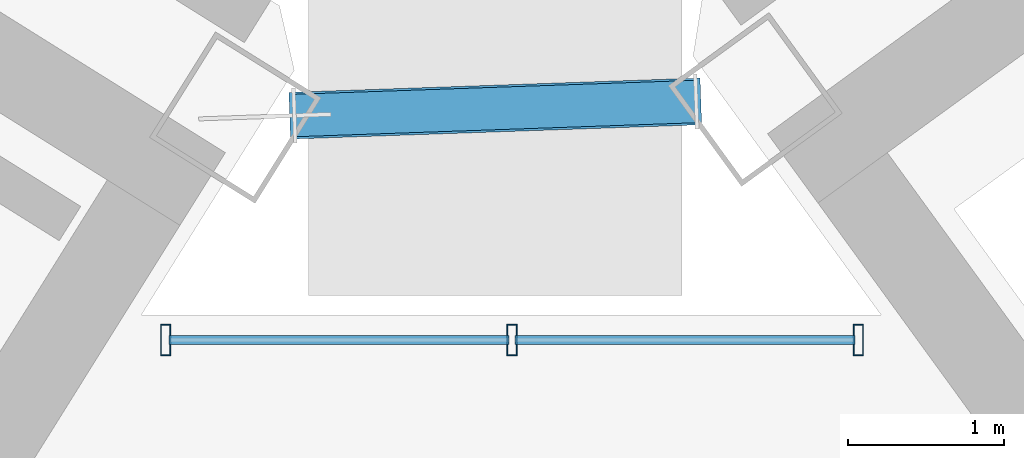
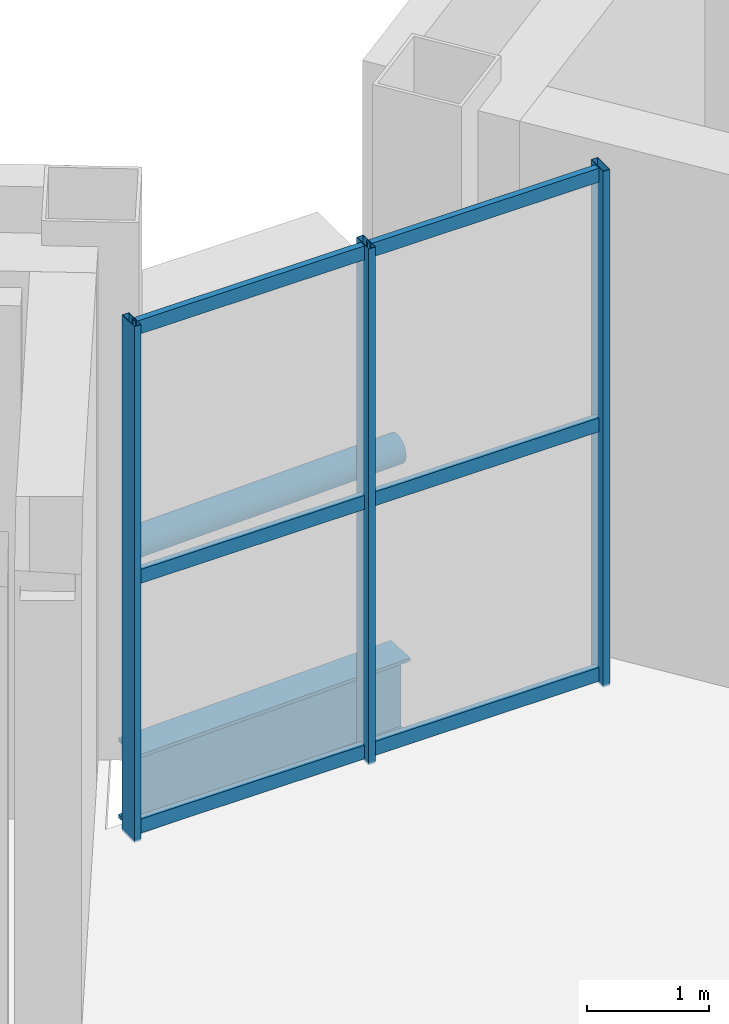
# One storey, part 12 of 30: 10 members, 1 beam, 1 element without a shape of its own.
"""IFC4 building model written with IfcOpenShell, lengths in metres."""

from ifc_helpers import new_model, si_unit, direction, frame, origin, origin_2d, place, context, subcontext, project, spatial, hollow_rectangle, hollow_circle, i_section, extrude, source, transform, mapped, material, material_profile, profile_set, type_object, element, aggregate, save


model = new_model("IFC4")

# Units and contexts
model_context = context("Model", 3, precision=1e-05, world=origin(), true_north=direction((0.0, 1.0)))
body_context = subcontext(model_context, "Body", "Model", "MODEL_VIEW")
ifc_project = project(units=[si_unit("LENGTHUNIT", "METRE"), si_unit("AREAUNIT", "SQUARE_METRE"), si_unit("VOLUMEUNIT", "CUBIC_METRE"), si_unit("PLANEANGLEUNIT", "RADIAN"), si_unit("MASSUNIT", "GRAM", prefix="KILO")], contexts=[model_context])

# Site, building, storey
site_placement = place(None, origin())
site = spatial("IfcSite", under=ifc_project, at=site_placement, CompositionType="ELEMENT")
building_placement = place(site_placement, origin())
building = spatial("IfcBuilding", under=site, at=building_placement, Name="Tlacorven Tower", CompositionType="ELEMENT")
storey_placement = place(building_placement, frame((0.0, 0.0, 169.5)))
storey = spatial("IfcBuildingStorey", under=building, at=storey_placement, Name="L43", CompositionType="ELEMENT", Elevation=169.5)

# Beam
ifc_material_1 = material(Name="Steel S355J2", Category="steel")
ifc_material_profile_1 = material_profile(ifc_material_1, i_section(OverallWidth=0.300048828125, OverallDepth=0.800048828125, WebThickness=0.017578125, FlangeThickness=0.032958984375, at=origin_2d()), Name="HEB 800")
ifc_profile_set_1 = profile_set([ifc_material_profile_1], Name="Steel S355J2")
beam_type = type_object("IfcBeamType", Name="BM-POD-800", PredefinedType="BEAM", material=ifc_profile_set_1)
shared_shape_1 = source(origin(), body_context, "Body", "SweptSolid", [
    extrude(i_section(OverallWidth=0.300048828125, OverallDepth=0.800048828125, WebThickness=0.017578125, FlangeThickness=0.032958984375, at=origin_2d()), origin(), (0.0, 0.0, 1.0), 2.642822265625),
])
beam_placement = place(storey_placement, frame((41.1328125, 24.480712890625, -0.679931640625), z_axis=(0.999393314814, 0.034828182629, 0.0), x_axis=(-0.034828182629, 0.999393314814, 0.0)))
element("IfcBeam", 1, at=beam_placement, inside=storey, type_object=beam_type, Name="L43 Knuckle Link Girder 1", PredefinedType="BEAM", context=body_context, shape_type="MappedRepresentation", body=[
    mapped(shared_shape_1, transform((0.0, 0.0, 0.0), scale=1.0)),
])

# Member
ifc_material_profile_2 = material_profile(ifc_material_1, hollow_circle(Radius=0.136474609375, WallThickness=0.012451171875, at=origin_2d()), Name="CHS 273.0X12.5")
ifc_profile_set_2 = profile_set([ifc_material_profile_2], Name="Steel S355J2")
member_type_1 = type_object("IfcMemberType", Name="MB-TRB-STR", PredefinedType="STRUT", material=ifc_profile_set_2)
shared_shape_2 = source(origin(), body_context, "Body", "SweptSolid", [
    extrude(hollow_circle(Radius=0.136474609375, WallThickness=0.012451171875, at=origin_2d()), origin(), (0.0, 0.0, 1.0), 2.58251953125),
])
member_1_placement = place(storey_placement, frame((41.162841796875, 24.481689453125, 1.75), z_axis=(0.999391428181, 0.034882277431, 0.0), x_axis=(-0.034882277431, 0.999391428181, 0.0)))
element("IfcMember", 2, at=member_1_placement, inside=storey, type_object=member_type_1, Name="L43 Venturi Wind-Turbine Slot Ring Strut", PredefinedType="STRUT", context=body_context, shape_type="MappedRepresentation", body=[
    mapped(shared_shape_2, transform((0.0, 0.0, 0.0), scale=1.0)),
])

# Curtain wall, members
ifc_material_2 = material(Name="Dark solar low-E double glazing in aluminium frame", Category="aluminium")
curtain_wall_type = type_object("IfcCurtainWallType", Name="CW-TWR-MID", PredefinedType="USERDEFINED", material=ifc_material_2)
curtain_wall_placement = place(storey_placement, origin())
curtain_wall = element("IfcCurtainWall", 3, at=curtain_wall_placement, inside=storey, type_object=curtain_wall_type, Name="L43 CW-TWR-MID Curtain Wall 201", ObjectType="UNITISED CURTAIN WALL", PredefinedType="USERDEFINED")
ifc_material_3 = material(Name="Aluminium 6063-T6 anodised", Category="aluminium")
ifc_material_profile_3 = material_profile(ifc_material_3, hollow_rectangle(XDim=0.06005859375, YDim=0.139892578125, WallThickness=0.00390625, at=origin_2d()), Name="ALU TRANSOM 60X140")
ifc_profile_set_3 = profile_set([ifc_material_profile_3], Name="Aluminium 6063-T6 anodised")
member_type_2 = type_object("IfcMemberType", Name="CWT-02", PredefinedType="USERDEFINED", material=ifc_profile_set_3)
shared_shape_3 = source(origin(), body_context, "Body", "SweptSolid", [
    extrude(hollow_rectangle(XDim=0.06005859375, YDim=0.139892578125, WallThickness=0.00390625, at=origin_2d()), origin(), (0.0, 0.0, 1.0), 2.184326171875),
])
member_2_placement = place(storey_placement, frame((40.35595703125, 23.0400390625, 0.070068359375), z_axis=(1.0, 0.0, 0.0), x_axis=(0.0, 1.0, 0.0)))
member_2 = element("IfcMember", 4, at=member_2_placement, type_object=member_type_2, Name="CW-L43-201 Transom 1", ObjectType="TRANSOM", PredefinedType="USERDEFINED", context=body_context, shape_type="MappedRepresentation", body=[
    mapped(shared_shape_3, transform((0.0, 0.0, 0.0), scale=1.0)),
])
member_3_placement = place(storey_placement, frame((40.35595703125, 23.0400390625, 2.574951171875), z_axis=(1.0, 0.0, 0.0), x_axis=(0.0, 1.0, 0.0)))
member_3 = element("IfcMember", 5, at=member_3_placement, type_object=member_type_2, Name="CW-L43-201 Transom 2", ObjectType="TRANSOM", PredefinedType="USERDEFINED", context=body_context, shape_type="MappedRepresentation", body=[
    mapped(shared_shape_3, transform((0.0, 0.0, 0.0), scale=1.0)),
])
member_4_placement = place(storey_placement, frame((40.35595703125, 23.0400390625, 5.080078125), z_axis=(1.0, 0.0, 0.0), x_axis=(0.0, 1.0, 0.0)))
member_4 = element("IfcMember", 6, at=member_4_placement, type_object=member_type_2, Name="CW-L43-201 Transom 3", ObjectType="TRANSOM", PredefinedType="USERDEFINED", context=body_context, shape_type="MappedRepresentation", body=[
    mapped(shared_shape_3, transform((0.0, 0.0, 0.0), scale=1.0)),
])
member_5_placement = place(storey_placement, frame((42.581298828125, 23.0400390625, 0.070068359375), z_axis=(1.0, 0.0, 0.0), x_axis=(0.0, 1.0, 0.0)))
member_5 = element("IfcMember", 7, at=member_5_placement, type_object=member_type_2, Name="CW-L43-201 Transom 4", ObjectType="TRANSOM", PredefinedType="USERDEFINED", context=body_context, shape_type="MappedRepresentation", body=[
    mapped(shared_shape_3, transform((0.0, 0.0, 0.0), scale=1.0)),
])
member_6_placement = place(storey_placement, frame((42.581298828125, 23.0400390625, 2.574951171875), z_axis=(1.0, 0.0, 0.0), x_axis=(0.0, 1.0, 0.0)))
member_6 = element("IfcMember", 8, at=member_6_placement, type_object=member_type_2, Name="CW-L43-201 Transom 5", ObjectType="TRANSOM", PredefinedType="USERDEFINED", context=body_context, shape_type="MappedRepresentation", body=[
    mapped(shared_shape_3, transform((0.0, 0.0, 0.0), scale=1.0)),
])
member_7_placement = place(storey_placement, frame((42.581298828125, 23.0400390625, 5.080078125), z_axis=(1.0, 0.0, 0.0), x_axis=(0.0, 1.0, 0.0)))
member_7 = element("IfcMember", 9, at=member_7_placement, type_object=member_type_2, Name="CW-L43-201 Transom 6", ObjectType="TRANSOM", PredefinedType="USERDEFINED", context=body_context, shape_type="MappedRepresentation", body=[
    mapped(shared_shape_3, transform((0.0, 0.0, 0.0), scale=1.0)),
])
ifc_material_profile_4 = material_profile(ifc_material_3, hollow_rectangle(XDim=0.06494140625, YDim=0.199951171875, WallThickness=0.00439453125, at=origin_2d()), Name="ALU MULLION 65X200")
ifc_profile_set_4 = profile_set([ifc_material_profile_4], Name="Aluminium 6063-T6 anodised")
member_type_3 = type_object("IfcMemberType", Name="CWM-02", PredefinedType="MULLION", material=ifc_profile_set_4)
shared_shape_4 = source(origin(), body_context, "Body", "SweptSolid", [
    extrude(hollow_rectangle(XDim=0.06494140625, YDim=0.199951171875, WallThickness=0.00439453125, at=origin_2d()), origin(), (0.0, 0.0, 1.0), 5.179931640625),
])
member_8_placement = place(storey_placement, frame((40.33544921875, 23.0400390625, -0.02001953125), z_axis=(0.0, 0.0, 1.0), x_axis=(1.0, 0.0, 0.0)))
member_8 = element("IfcMember", 10, at=member_8_placement, type_object=member_type_3, Name="CW-L43-201 Mullion 1", PredefinedType="MULLION", context=body_context, shape_type="MappedRepresentation", body=[
    mapped(shared_shape_4, transform((0.0, 0.0, 0.0), scale=1.0)),
])
member_9_placement = place(storey_placement, frame((42.560791015625, 23.0400390625, -0.02001953125), z_axis=(0.0, 0.0, 1.0), x_axis=(1.0, 0.0, 0.0)))
member_9 = element("IfcMember", 11, at=member_9_placement, type_object=member_type_3, Name="CW-L43-201 Mullion 2", PredefinedType="MULLION", context=body_context, shape_type="MappedRepresentation", body=[
    mapped(shared_shape_4, transform((0.0, 0.0, 0.0), scale=1.0)),
])
member_10_placement = place(storey_placement, frame((44.7861328125, 23.0400390625, -0.02001953125), z_axis=(0.0, 0.0, 1.0), x_axis=(1.0, 0.0, 0.0)))
member_10 = element("IfcMember", 12, at=member_10_placement, type_object=member_type_3, Name="CW-L43-201 Mullion 3", PredefinedType="MULLION", context=body_context, shape_type="MappedRepresentation", body=[
    mapped(shared_shape_4, transform((0.0, 0.0, 0.0), scale=1.0)),
])
aggregate(curtain_wall, [member_8, member_9, member_10, member_2, member_3, member_4, member_5, member_6, member_7])

save(model, "model.ifc")
